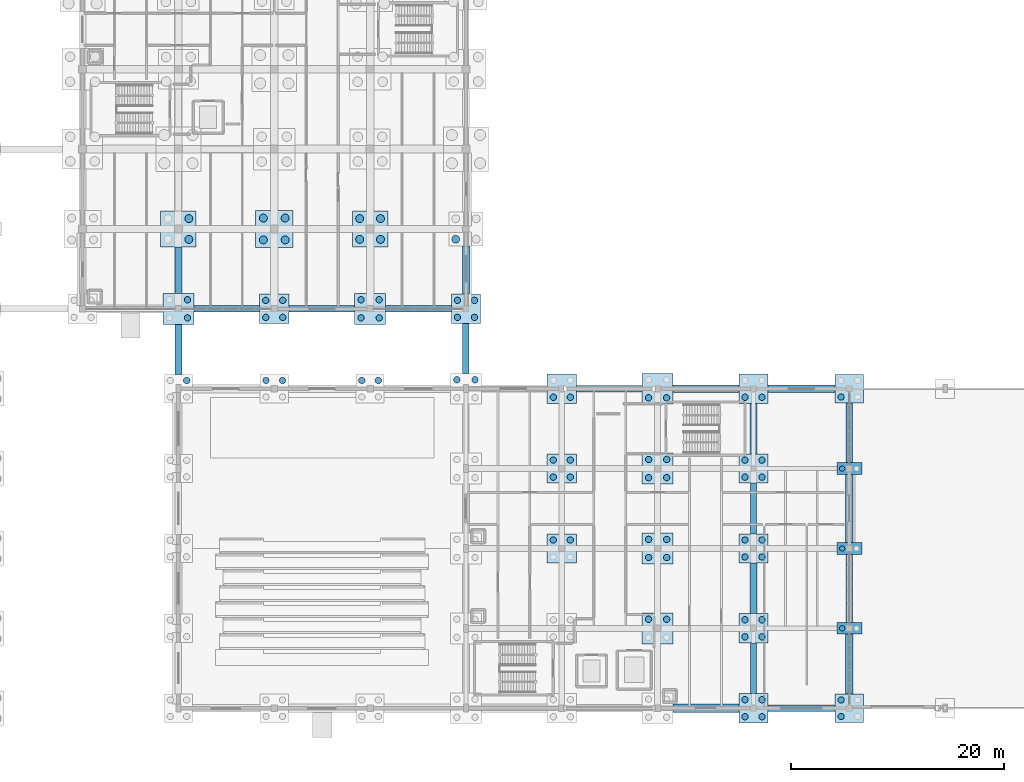
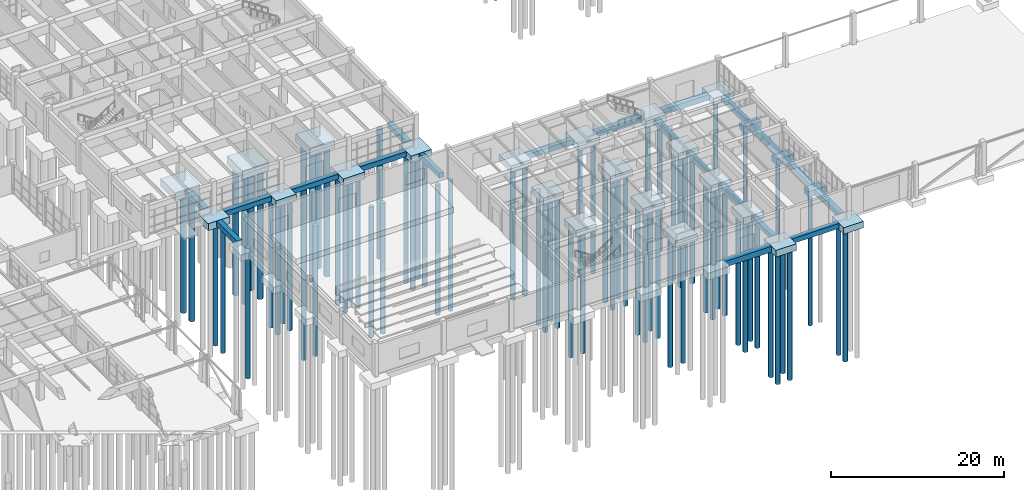
# One storey, part 4 of 93: 76 piles, 44 footings.
"""IFC4 building model written with IfcOpenShell, lengths in metres."""

from ifc_helpers import new_model, si_unit, direction, frame, origin, origin_2d, place, context, subcontext, project, spatial, rectangle, circle, extrude, material, material_profile, profile_set, type_object, element, save


model = new_model("IFC4")

# Units and contexts
model_context = context("Model", 3, precision=1e-05, world=origin(), true_north=direction((0.0, 1.0)))
body_context = subcontext(model_context, "Body", "Model", "MODEL_VIEW")
ifc_project = project(units=[si_unit("LENGTHUNIT", "METRE"), si_unit("AREAUNIT", "SQUARE_METRE"), si_unit("VOLUMEUNIT", "CUBIC_METRE"), si_unit("PLANEANGLEUNIT", "RADIAN"), si_unit("MASSUNIT", "GRAM", prefix="KILO")], contexts=[model_context])

# Site, building, storey
site_placement = place(None, origin())
site = spatial("IfcSite", under=ifc_project, at=site_placement, CompositionType="ELEMENT")
building_placement = place(site_placement, origin())
building = spatial("IfcBuilding", under=site, at=building_placement, Name="Marnridge Secondary College", CompositionType="ELEMENT")
storey_placement = place(building_placement, origin())
storey = spatial("IfcBuildingStorey", under=building, at=storey_placement, Name="L00", CompositionType="ELEMENT", Elevation=0.0)

# Footings
ifc_material_1 = material(Name="Concrete C40/50 (AS 3600 N40, 40 MPa)", Category="concrete")
footing_type_1 = type_object("IfcFootingType", Name="FT-PC-2311", PredefinedType="PILE_CAP", material=ifc_material_1)
for number, where, z_axis, x_axis, name in (
    (1, (126.0, 7.5, -1.06982421875), (0.0, 0.0, 1.0), (1.0, 0.0, 0.0), "Pile cap PC-026"),
    (2, (126.0, 15.0, -1.06982421875), (0.0, 0.0, 1.0), (1.0, 0.0, 0.0), "Pile cap PC-038"),
    (3, (126.0, 22.5, -1.06982421875), (0.0, 0.0, 1.0), (1.0, 0.0, 0.0), "Pile cap PC-050"),
):
    element("IfcFooting", number, at=place(storey_placement, frame(where, z_axis=z_axis, x_axis=x_axis)), inside=storey, type_object=footing_type_1, Name=name, PredefinedType="PILE_CAP", context=body_context, shape_type="SweptSolid", body=[
        extrude(rectangle(XDim=2.35009765625, YDim=1.10009765625, at=origin_2d()), origin(), (0.0, 0.0, 1.0), 0.820068359375),
    ])
ifc_material_2 = material(Name="Concrete C40/50 (AS 3600 N40, 40 MPa)", Category="concrete")
footing_type_2 = type_object("IfcFootingType", Name="FT-PC-2650", PredefinedType="PILE_CAP", material=ifc_material_2)
for number, where, z_axis, x_axis, name in (
    (4, (126.0, 0.0, -1.169921875), (0.0, 0.0, 1.0), (1.0, 0.0, 0.0), "Pile cap PC-014"),
    (5, (126.0, 30.0, -1.169921875), (0.0, 0.0, 1.0), (1.0, 0.0, 0.0), "Pile cap PC-064"),
):
    element("IfcFooting", number, at=place(storey_placement, frame(where, z_axis=z_axis, x_axis=x_axis)), inside=storey, type_object=footing_type_2, Name=name, PredefinedType="PILE_CAP", context=body_context, shape_type="SweptSolid", body=[
        extrude(rectangle(XDim=2.64990234375, YDim=2.64990234375, at=origin_2d()), origin(), (0.0, 0.0, 1.0), 0.919921875),
    ])
ifc_material_3 = material(Name="Concrete C40/50 (AS 3600 N40, 40 MPa)", Category="concrete")
footing_type_3 = type_object("IfcFootingType", Name="FT-PC-2750", PredefinedType="PILE_CAP", material=ifc_material_3)
for number, where, z_axis, x_axis, name in (
    (6, (117.0, 0.0, -1.2001953125), (0.0, 0.0, 1.0), (1.0, 0.0, 0.0), "Pile cap PC-013"),
    (7, (117.0, 7.5, -1.2001953125), (0.0, 0.0, 1.0), (1.0, 0.0, 0.0), "Pile cap PC-025"),
    (8, (99.0, 15.0, -1.2001953125), (0.0, 0.0, 1.0), (1.0, 0.0, 0.0), "Pile cap PC-035"),
    (9, (117.0, 15.0, -1.2001953125), (0.0, 0.0, 1.0), (1.0, 0.0, 0.0), "Pile cap PC-037"),
    (10, (99.0, 22.5, -1.2001953125), (0.0, 0.0, 1.0), (1.0, 0.0, 0.0), "Pile cap PC-047"),
    (11, (117.0, 22.5, -1.2001953125), (0.0, 0.0, 1.0), (1.0, 0.0, 0.0), "Pile cap PC-049"),
    (12, (99.0, 30.0, -1.2001953125), (0.0, 0.0, 1.0), (1.0, 0.0, 0.0), "Pile cap PC-061"),
    (13, (117.0, 30.0, -1.2001953125), (0.0, 0.0, 1.0), (1.0, 0.0, 0.0), "Pile cap PC-063"),
    (14, (72.0, 37.5, -1.2001953125), (0.0, 0.0, 1.0), (1.0, 0.0, 0.0), "Pile cap PC-073"),
    (15, (90.0, 37.5, -1.2001953125), (0.0, 0.0, 1.0), (1.0, 0.0, 0.0), "Pile cap PC-075"),
):
    element("IfcFooting", number, at=place(storey_placement, frame(where, z_axis=z_axis, x_axis=x_axis)), inside=storey, type_object=footing_type_3, Name=name, PredefinedType="PILE_CAP", context=body_context, shape_type="SweptSolid", body=[
        extrude(rectangle(XDim=2.75, YDim=2.75, at=origin_2d()), origin(), (0.0, 0.0, 1.0), 0.949951171875),
    ])
ifc_material_4 = material(Name="Concrete C40/50 (AS 3600 N40, 40 MPa)", Category="concrete")
footing_type_4 = type_object("IfcFootingType", Name="FT-PC-2900", PredefinedType="PILE_CAP", material=ifc_material_4)
for number, where, z_axis, x_axis, name in (
    (16, (108.0, 7.5, -1.22998046875), (0.0, 0.0, 1.0), (1.0, 0.0, 0.0), "Pile cap PC-024"),
    (17, (108.0, 15.0, -1.22998046875), (0.0, 0.0, 1.0), (1.0, 0.0, 0.0), "Pile cap PC-036"),
    (18, (108.0, 22.5, -1.22998046875), (0.0, 0.0, 1.0), (1.0, 0.0, 0.0), "Pile cap PC-048"),
    (19, (108.0, 30.0, -1.22998046875), (0.0, 0.0, 1.0), (1.0, 0.0, 0.0), "Pile cap PC-062"),
    (20, (63.0, 37.5, -1.22998046875), (0.0, 0.0, 1.0), (1.0, 0.0, 0.0), "Pile cap PC-072"),
    (21, (81.0, 37.5, -1.22998046875), (0.0, 0.0, 1.0), (1.0, 0.0, 0.0), "Pile cap PC-074"),
):
    element("IfcFooting", number, at=place(storey_placement, frame(where, z_axis=z_axis, x_axis=x_axis)), inside=storey, type_object=footing_type_4, Name=name, PredefinedType="PILE_CAP", context=body_context, shape_type="SweptSolid", body=[
        extrude(rectangle(XDim=2.89990234375, YDim=2.89990234375, at=origin_2d()), origin(), (0.0, 0.0, 1.0), 0.97998046875),
    ])
ifc_material_5 = material(Name="Concrete C40/50 (AS 3600 N40, 40 MPa)", Category="concrete")
footing_type_5 = type_object("IfcFootingType", Name="FT-PC-3350", PredefinedType="PILE_CAP", material=ifc_material_5)
for number, where, z_axis, x_axis, name in (
    (22, (63.0, 45.0, -1.35009765625), (0.0, 0.0, 1.0), (1.0, 0.0, 0.0), "Pile cap PC-083"),
    (23, (81.0, 45.0, -1.35009765625), (0.0, 0.0, 1.0), (1.0, 0.0, 0.0), "Pile cap PC-085"),
):
    element("IfcFooting", number, at=place(storey_placement, frame(where, z_axis=z_axis, x_axis=x_axis)), inside=storey, type_object=footing_type_5, Name=name, PredefinedType="PILE_CAP", context=body_context, shape_type="SweptSolid", body=[
        extrude(rectangle(XDim=3.35009765625, YDim=3.35009765625, at=origin_2d()), origin(), (0.0, 0.0, 1.0), 1.10009765625),
    ])
ifc_material_6 = material(Name="Concrete C40/50 (AS 3600 N40, 40 MPa)", Category="concrete")
footing_type_6 = type_object("IfcFootingType", Name="FT-PC-3500", PredefinedType="PILE_CAP", material=ifc_material_6)
footing_1_placement = place(storey_placement, frame((72.0, 45.0, -1.39990234375), z_axis=(0.0, 0.0, 1.0), x_axis=(1.0, 0.0, 0.0)))
element("IfcFooting", 24, at=footing_1_placement, inside=storey, type_object=footing_type_6, Name="Pile cap PC-084", PredefinedType="PILE_CAP", context=body_context, shape_type="SweptSolid", body=[
    extrude(rectangle(XDim=3.5, YDim=3.5, at=origin_2d()), origin(), (0.0, 0.0, 1.0), 1.14990234375),
])
ifc_material_7 = material(Name="Concrete C40/50 (AS 3600 N40, 40 MPa)", Category="concrete")
footing_type_7 = type_object("IfcFootingType", Name="FT-SF-600", PredefinedType="STRIP_FOOTING", material=ifc_material_7)
for number, where, z_axis, x_axis, name in (
    (25, (67.53759765625, 37.5, -0.9501953125), (0.0, 0.0, 1.0), (1.0, 0.0, 0.0), "Ground strip footing SF-077"),
    (26, (76.46240234375, 37.5, -0.9501953125), (0.0, 0.0, 1.0), (1.0, 0.0, 0.0), "Ground strip footing SF-089"),
    (27, (85.53759765625, 37.5, -0.9501953125), (0.0, 0.0, 1.0), (1.0, 0.0, 0.0), "Ground strip footing SF-095"),
):
    element("IfcFooting", number, at=place(storey_placement, frame(where, z_axis=z_axis, x_axis=x_axis)), inside=storey, type_object=footing_type_7, Name=name, PredefinedType="STRIP_FOOTING", context=body_context, shape_type="SweptSolid", body=[
        extrude(rectangle(XDim=6.175048828125, YDim=0.60009765625, at=origin_2d()), origin(), (0.0, 0.0, 1.0), 0.699951171875),
    ])
footing_2_placement = place(storey_placement, frame((90.0, 33.78759765625, -0.9501953125), z_axis=(0.0, 0.0, 1.0), x_axis=(1.0, 0.0, 0.0)))
element("IfcFooting", 28, at=footing_2_placement, inside=storey, type_object=footing_type_7, Name="Ground strip footing SF-105", PredefinedType="STRIP_FOOTING", context=body_context, shape_type="SweptSolid", body=[
    extrude(rectangle(XDim=0.60009765625, YDim=4.675048828125, at=origin_2d()), origin(), (0.0, 0.0, 1.0), 0.699951171875),
])
footing_3_placement = place(storey_placement, frame((103.46240234375, 30.0, -0.9501953125), z_axis=(0.0, 0.0, 1.0), x_axis=(1.0, 0.0, 0.0)))
element("IfcFooting", 29, at=footing_3_placement, inside=storey, type_object=footing_type_7, Name="Ground strip footing SF-113", PredefinedType="STRIP_FOOTING", context=body_context, shape_type="SweptSolid", body=[
    extrude(rectangle(XDim=6.175048828125, YDim=0.60009765625, at=origin_2d()), origin(), (0.0, 0.0, 1.0), 0.699951171875),
])
footing_4_placement = place(storey_placement, frame((121.52490234375, 0.0, -0.9501953125), z_axis=(0.0, 0.0, 1.0), x_axis=(1.0, 0.0, 0.0)))
element("IfcFooting", 30, at=footing_4_placement, inside=storey, type_object=footing_type_7, Name="Ground strip footing SF-116", PredefinedType="STRIP_FOOTING", context=body_context, shape_type="SweptSolid", body=[
    extrude(rectangle(XDim=6.300048828125, YDim=0.60009765625, at=origin_2d()), origin(), (0.0, 0.0, 1.0), 0.699951171875),
])
for number, where, z_axis, x_axis, name in (
    (31, (117.0, 3.75, -0.9501953125), (0.0, 0.0, 1.0), (1.0, 0.0, 0.0), "Ground strip footing SF-117"),
    (32, (117.0, 18.75, -0.9501953125), (0.0, 0.0, 1.0), (1.0, 0.0, 0.0), "Ground strip footing SF-119"),
):
    element("IfcFooting", number, at=place(storey_placement, frame(where, z_axis=z_axis, x_axis=x_axis)), inside=storey, type_object=footing_type_7, Name=name, PredefinedType="STRIP_FOOTING", context=body_context, shape_type="SweptSolid", body=[
        extrude(rectangle(XDim=0.60009765625, YDim=4.75, at=origin_2d()), origin(), (0.0, 0.0, 1.0), 0.699951171875),
    ])
footing_5_placement = place(storey_placement, frame((126.0, 11.25, -0.9501953125), z_axis=(0.0, 0.0, 1.0), x_axis=(1.0, 0.0, 0.0)))
element("IfcFooting", 33, at=footing_5_placement, inside=storey, type_object=footing_type_7, Name="Ground strip footing SF-123", PredefinedType="STRIP_FOOTING", context=body_context, shape_type="SweptSolid", body=[
    extrude(rectangle(XDim=0.60009765625, YDim=6.39990234375, at=origin_2d()), origin(), (0.0, 0.0, 1.0), 0.699951171875),
])
footing_6_placement = place(storey_placement, frame((126.0, 25.862548828125, -0.9501953125), z_axis=(0.0, 0.0, 1.0), x_axis=(1.0, 0.0, 0.0)))
element("IfcFooting", 34, at=footing_6_placement, inside=storey, type_object=footing_type_7, Name="Ground strip footing SF-125", PredefinedType="STRIP_FOOTING", context=body_context, shape_type="SweptSolid", body=[
    extrude(rectangle(XDim=0.60009765625, YDim=5.625, at=origin_2d()), origin(), (0.0, 0.0, 1.0), 0.699951171875),
])
ifc_material_8 = material(Name="Concrete C40/50 (AS 3600 N40, 40 MPa)", Category="concrete")
footing_type_8 = type_object("IfcFootingType", Name="FT-SF-680", PredefinedType="STRIP_FOOTING", material=ifc_material_8)
footing_7_placement = place(storey_placement, frame((63.0, 33.6875, -1.009765625), z_axis=(0.0, 0.0, 1.0), x_axis=(1.0, 0.0, 0.0)))
element("IfcFooting", 35, at=footing_7_placement, inside=storey, type_object=footing_type_8, Name="Ground strip footing SF-076", PredefinedType="STRIP_FOOTING", context=body_context, shape_type="SweptSolid", body=[
    extrude(rectangle(XDim=0.679931640625, YDim=4.72509765625, at=origin_2d()), origin(), (0.0, 0.0, 1.0), 0.760009765625),
])
footing_8_placement = place(storey_placement, frame((63.0, 41.137451171875, -1.009765625), z_axis=(0.0, 0.0, 1.0), x_axis=(1.0, 0.0, 0.0)))
element("IfcFooting", 36, at=footing_8_placement, inside=storey, type_object=footing_type_8, Name="Ground strip footing SF-078", PredefinedType="STRIP_FOOTING", context=body_context, shape_type="SweptSolid", body=[
    extrude(rectangle(XDim=0.679931640625, YDim=4.375, at=origin_2d()), origin(), (0.0, 0.0, 1.0), 0.760009765625),
])
footing_9_placement = place(storey_placement, frame((90.0, 41.137451171875, -1.009765625), z_axis=(0.0, 0.0, 1.0), x_axis=(1.0, 0.0, 0.0)))
element("IfcFooting", 37, at=footing_9_placement, inside=storey, type_object=footing_type_8, Name="Ground strip footing SF-106", PredefinedType="STRIP_FOOTING", context=body_context, shape_type="SweptSolid", body=[
    extrude(rectangle(XDim=0.679931640625, YDim=4.52490234375, at=origin_2d()), origin(), (0.0, 0.0, 1.0), 0.760009765625),
])
footing_10_placement = place(storey_placement, frame((112.53759765625, 30.0, -1.009765625), z_axis=(0.0, 0.0, 1.0), x_axis=(1.0, 0.0, 0.0)))
element("IfcFooting", 38, at=footing_10_placement, inside=storey, type_object=footing_type_8, Name="Ground strip footing SF-115", PredefinedType="STRIP_FOOTING", context=body_context, shape_type="SweptSolid", body=[
    extrude(rectangle(XDim=6.175048828125, YDim=0.679931640625, at=origin_2d()), origin(), (0.0, 0.0, 1.0), 0.760009765625),
])
for number, where, z_axis, x_axis, name in (
    (39, (117.0, 11.25, -1.009765625), (0.0, 0.0, 1.0), (1.0, 0.0, 0.0), "Ground strip footing SF-118"),
    (40, (117.0, 26.25, -1.009765625), (0.0, 0.0, 1.0), (1.0, 0.0, 0.0), "Ground strip footing SF-120"),
):
    element("IfcFooting", number, at=place(storey_placement, frame(where, z_axis=z_axis, x_axis=x_axis)), inside=storey, type_object=footing_type_8, Name=name, PredefinedType="STRIP_FOOTING", context=body_context, shape_type="SweptSolid", body=[
        extrude(rectangle(XDim=0.679931640625, YDim=4.75, at=origin_2d()), origin(), (0.0, 0.0, 1.0), 0.760009765625),
    ])
footing_11_placement = place(storey_placement, frame((121.52490234375, 30.0, -1.009765625), z_axis=(0.0, 0.0, 1.0), x_axis=(1.0, 0.0, 0.0)))
element("IfcFooting", 41, at=footing_11_placement, inside=storey, type_object=footing_type_8, Name="Ground strip footing SF-121", PredefinedType="STRIP_FOOTING", context=body_context, shape_type="SweptSolid", body=[
    extrude(rectangle(XDim=6.300048828125, YDim=0.679931640625, at=origin_2d()), origin(), (0.0, 0.0, 1.0), 0.760009765625),
])
footing_12_placement = place(storey_placement, frame((126.0, 4.137451171875, -1.009765625), z_axis=(0.0, 0.0, 1.0), x_axis=(1.0, 0.0, 0.0)))
element("IfcFooting", 42, at=footing_12_placement, inside=storey, type_object=footing_type_8, Name="Ground strip footing SF-122", PredefinedType="STRIP_FOOTING", context=body_context, shape_type="SweptSolid", body=[
    extrude(rectangle(XDim=0.679931640625, YDim=5.625, at=origin_2d()), origin(), (0.0, 0.0, 1.0), 0.760009765625),
])
footing_13_placement = place(storey_placement, frame((126.0, 18.75, -1.009765625), z_axis=(0.0, 0.0, 1.0), x_axis=(1.0, 0.0, 0.0)))
element("IfcFooting", 43, at=footing_13_placement, inside=storey, type_object=footing_type_8, Name="Ground strip footing SF-124", PredefinedType="STRIP_FOOTING", context=body_context, shape_type="SweptSolid", body=[
    extrude(rectangle(XDim=0.679931640625, YDim=6.39990234375, at=origin_2d()), origin(), (0.0, 0.0, 1.0), 0.760009765625),
])
ifc_material_9 = material(Name="Concrete C40/50 (AS 3600 N40, 40 MPa)", Category="concrete")
footing_type_9 = type_object("IfcFootingType", Name="FT-SF-760", PredefinedType="STRIP_FOOTING", material=ifc_material_9)
footing_14_placement = place(storey_placement, frame((112.53759765625, 0.0, -1.06982421875), z_axis=(0.0, 0.0, 1.0), x_axis=(1.0, 0.0, 0.0)))
element("IfcFooting", 44, at=footing_14_placement, inside=storey, type_object=footing_type_9, Name="Ground strip footing SF-114", PredefinedType="STRIP_FOOTING", context=body_context, shape_type="SweptSolid", body=[
    extrude(rectangle(XDim=6.175048828125, YDim=0.760009765625, at=origin_2d()), origin(), (0.0, 0.0, 1.0), 0.820068359375),
])

# Piles
ifc_material_10 = material(Name="Concrete C40/50 (AS 3600 N40, 40 MPa)", Category="concrete")
ifc_material_profile_1 = material_profile(ifc_material_10, circle(Radius=0.25, at=origin_2d()), Name="PILE D500")
ifc_profile_set_1 = profile_set([ifc_material_profile_1], Name="Concrete C40/50 (AS 3600 N40, 40 MPa)")
pile_type_1 = type_object("IfcPileType", Name="PL-D500-N40", PredefinedType="BORED", material=ifc_profile_set_1)
for number, where, z_axis, x_axis, name in (
    (45, (125.324951171875, 7.5, -0.969970703125), (0.0, 0.0, -1.0), (1.0, 0.0, 0.0), "Bored pile PL-101"),
    (46, (125.324951171875, 15.0, -0.969970703125), (0.0, 0.0, -1.0), (1.0, 0.0, 0.0), "Bored pile PL-147"),
    (47, (125.324951171875, 22.5, -0.969970703125), (0.0, 0.0, -1.0), (1.0, 0.0, 0.0), "Bored pile PL-193"),
):
    element("IfcPile", number, at=place(storey_placement, frame(where, z_axis=z_axis, x_axis=x_axis)), inside=storey, type_object=pile_type_1, Name=name, PredefinedType="BORED", context=body_context, shape_type="SweptSolid", body=[
        extrude(circle(Radius=0.25, at=origin_2d()), origin(), (0.0, 0.0, 1.0), 18.530029296875),
    ])
ifc_material_11 = material(Name="Concrete C40/50 (AS 3600 N40, 40 MPa)", Category="concrete")
ifc_material_profile_2 = material_profile(ifc_material_11, circle(Radius=0.300048828125, at=origin_2d()), Name="PILE D600")
ifc_profile_set_2 = profile_set([ifc_material_profile_2], Name="Concrete C40/50 (AS 3600 N40, 40 MPa)")
pile_type_2 = type_object("IfcPileType", Name="PL-D600-N40", PredefinedType="BORED", material=ifc_profile_set_2)
for number, where, z_axis, x_axis, name in (
    (48, (116.199951171875, -0.800048828125, -1.10009765625), (0.0, 0.0, -1.0), (1.0, 0.0, 0.0), "Bored pile PL-049"),
    (49, (117.800048828125, -0.800048828125, -1.10009765625), (0.0, 0.0, -1.0), (1.0, 0.0, 0.0), "Bored pile PL-050"),
    (50, (116.199951171875, 0.800048828125, -1.10009765625), (0.0, 0.0, -1.0), (1.0, 0.0, 0.0), "Bored pile PL-051"),
    (51, (117.800048828125, 0.800048828125, -1.10009765625), (0.0, 0.0, -1.0), (1.0, 0.0, 0.0), "Bored pile PL-052"),
):
    element("IfcPile", number, at=place(storey_placement, frame(where, z_axis=z_axis, x_axis=x_axis)), inside=storey, type_object=pile_type_2, Name=name, PredefinedType="BORED", context=body_context, shape_type="SweptSolid", body=[
        extrude(circle(Radius=0.300048828125, at=origin_2d()), origin(), (0.0, 0.0, 1.0), 18.39990234375),
    ])
for number, where, z_axis, x_axis, name in (
    (52, (125.22509765625, -0.77490234375, -1.070068359375), (0.0, 0.0, -1.0), (1.0, 0.0, 0.0), "Bored pile PL-053"),
    (53, (125.22509765625, 0.77490234375, -1.070068359375), (0.0, 0.0, -1.0), (1.0, 0.0, 0.0), "Bored pile PL-055"),
):
    element("IfcPile", number, at=place(storey_placement, frame(where, z_axis=z_axis, x_axis=x_axis)), inside=storey, type_object=pile_type_2, Name=name, PredefinedType="BORED", context=body_context, shape_type="SweptSolid", body=[
        extrude(circle(Radius=0.300048828125, at=origin_2d()), origin(), (0.0, 0.0, 1.0), 18.429931640625),
    ])
for number, where, z_axis, x_axis, name in (
    (54, (107.14990234375, 8.35009765625, -1.1298828125), (0.0, 0.0, -1.0), (1.0, 0.0, 0.0), "Bored pile PL-095"),
    (55, (108.85009765625, 8.35009765625, -1.1298828125), (0.0, 0.0, -1.0), (1.0, 0.0, 0.0), "Bored pile PL-096"),
):
    element("IfcPile", number, at=place(storey_placement, frame(where, z_axis=z_axis, x_axis=x_axis)), inside=storey, type_object=pile_type_2, Name=name, PredefinedType="BORED", context=body_context, shape_type="SweptSolid", body=[
        extrude(circle(Radius=0.300048828125, at=origin_2d()), origin(), (0.0, 0.0, 1.0), 18.3701171875),
    ])
for number, where, z_axis, x_axis, name in (
    (56, (116.199951171875, 6.699951171875, -1.10009765625), (0.0, 0.0, -1.0), (1.0, 0.0, 0.0), "Bored pile PL-097"),
    (57, (117.800048828125, 6.699951171875, -1.10009765625), (0.0, 0.0, -1.0), (1.0, 0.0, 0.0), "Bored pile PL-098"),
    (58, (116.199951171875, 8.300048828125, -1.10009765625), (0.0, 0.0, -1.0), (1.0, 0.0, 0.0), "Bored pile PL-099"),
    (59, (117.800048828125, 8.300048828125, -1.10009765625), (0.0, 0.0, -1.0), (1.0, 0.0, 0.0), "Bored pile PL-100"),
    (60, (98.199951171875, 15.800048828125, -1.10009765625), (0.0, 0.0, -1.0), (1.0, 0.0, 0.0), "Bored pile PL-137"),
    (61, (99.800048828125, 15.800048828125, -1.10009765625), (0.0, 0.0, -1.0), (1.0, 0.0, 0.0), "Bored pile PL-138"),
):
    element("IfcPile", number, at=place(storey_placement, frame(where, z_axis=z_axis, x_axis=x_axis)), inside=storey, type_object=pile_type_2, Name=name, PredefinedType="BORED", context=body_context, shape_type="SweptSolid", body=[
        extrude(circle(Radius=0.300048828125, at=origin_2d()), origin(), (0.0, 0.0, 1.0), 18.39990234375),
    ])
for number, where, z_axis, x_axis, name in (
    (62, (107.14990234375, 14.14990234375, -1.1298828125), (0.0, 0.0, -1.0), (1.0, 0.0, 0.0), "Bored pile PL-139"),
    (63, (108.85009765625, 14.14990234375, -1.1298828125), (0.0, 0.0, -1.0), (1.0, 0.0, 0.0), "Bored pile PL-140"),
    (64, (107.14990234375, 15.85009765625, -1.1298828125), (0.0, 0.0, -1.0), (1.0, 0.0, 0.0), "Bored pile PL-141"),
    (65, (108.85009765625, 15.85009765625, -1.1298828125), (0.0, 0.0, -1.0), (1.0, 0.0, 0.0), "Bored pile PL-142"),
):
    element("IfcPile", number, at=place(storey_placement, frame(where, z_axis=z_axis, x_axis=x_axis)), inside=storey, type_object=pile_type_2, Name=name, PredefinedType="BORED", context=body_context, shape_type="SweptSolid", body=[
        extrude(circle(Radius=0.300048828125, at=origin_2d()), origin(), (0.0, 0.0, 1.0), 18.3701171875),
    ])
for number, where, z_axis, x_axis, name in (
    (66, (116.199951171875, 14.199951171875, -1.10009765625), (0.0, 0.0, -1.0), (1.0, 0.0, 0.0), "Bored pile PL-143"),
    (67, (117.800048828125, 14.199951171875, -1.10009765625), (0.0, 0.0, -1.0), (1.0, 0.0, 0.0), "Bored pile PL-144"),
    (68, (116.199951171875, 15.800048828125, -1.10009765625), (0.0, 0.0, -1.0), (1.0, 0.0, 0.0), "Bored pile PL-145"),
    (69, (117.800048828125, 15.800048828125, -1.10009765625), (0.0, 0.0, -1.0), (1.0, 0.0, 0.0), "Bored pile PL-146"),
    (70, (98.199951171875, 21.699951171875, -1.10009765625), (0.0, 0.0, -1.0), (1.0, 0.0, 0.0), "Bored pile PL-181"),
    (71, (99.800048828125, 21.699951171875, -1.10009765625), (0.0, 0.0, -1.0), (1.0, 0.0, 0.0), "Bored pile PL-182"),
    (72, (98.199951171875, 23.300048828125, -1.10009765625), (0.0, 0.0, -1.0), (1.0, 0.0, 0.0), "Bored pile PL-183"),
    (73, (99.800048828125, 23.300048828125, -1.10009765625), (0.0, 0.0, -1.0), (1.0, 0.0, 0.0), "Bored pile PL-184"),
):
    element("IfcPile", number, at=place(storey_placement, frame(where, z_axis=z_axis, x_axis=x_axis)), inside=storey, type_object=pile_type_2, Name=name, PredefinedType="BORED", context=body_context, shape_type="SweptSolid", body=[
        extrude(circle(Radius=0.300048828125, at=origin_2d()), origin(), (0.0, 0.0, 1.0), 18.39990234375),
    ])
for number, where, z_axis, x_axis, name in (
    (74, (107.14990234375, 21.64990234375, -1.1298828125), (0.0, 0.0, -1.0), (1.0, 0.0, 0.0), "Bored pile PL-185"),
    (75, (108.85009765625, 21.64990234375, -1.1298828125), (0.0, 0.0, -1.0), (1.0, 0.0, 0.0), "Bored pile PL-186"),
    (76, (107.14990234375, 23.35009765625, -1.1298828125), (0.0, 0.0, -1.0), (1.0, 0.0, 0.0), "Bored pile PL-187"),
    (77, (108.85009765625, 23.35009765625, -1.1298828125), (0.0, 0.0, -1.0), (1.0, 0.0, 0.0), "Bored pile PL-188"),
):
    element("IfcPile", number, at=place(storey_placement, frame(where, z_axis=z_axis, x_axis=x_axis)), inside=storey, type_object=pile_type_2, Name=name, PredefinedType="BORED", context=body_context, shape_type="SweptSolid", body=[
        extrude(circle(Radius=0.300048828125, at=origin_2d()), origin(), (0.0, 0.0, 1.0), 18.3701171875),
    ])
for number, where, z_axis, x_axis, name in (
    (78, (116.199951171875, 21.699951171875, -1.10009765625), (0.0, 0.0, -1.0), (1.0, 0.0, 0.0), "Bored pile PL-189"),
    (79, (117.800048828125, 21.699951171875, -1.10009765625), (0.0, 0.0, -1.0), (1.0, 0.0, 0.0), "Bored pile PL-190"),
    (80, (116.199951171875, 23.300048828125, -1.10009765625), (0.0, 0.0, -1.0), (1.0, 0.0, 0.0), "Bored pile PL-191"),
    (81, (117.800048828125, 23.300048828125, -1.10009765625), (0.0, 0.0, -1.0), (1.0, 0.0, 0.0), "Bored pile PL-192"),
):
    element("IfcPile", number, at=place(storey_placement, frame(where, z_axis=z_axis, x_axis=x_axis)), inside=storey, type_object=pile_type_2, Name=name, PredefinedType="BORED", context=body_context, shape_type="SweptSolid", body=[
        extrude(circle(Radius=0.300048828125, at=origin_2d()), origin(), (0.0, 0.0, 1.0), 18.39990234375),
    ])
for number, where, z_axis, x_axis, name in (
    (82, (63.77490234375, 30.77490234375, -1.070068359375), (0.0, 0.0, -1.0), (1.0, 0.0, 0.0), "Bored pile PL-222"),
    (83, (71.22509765625, 30.77490234375, -1.070068359375), (0.0, 0.0, -1.0), (1.0, 0.0, 0.0), "Bored pile PL-225"),
    (84, (72.77490234375, 30.77490234375, -1.070068359375), (0.0, 0.0, -1.0), (1.0, 0.0, 0.0), "Bored pile PL-226"),
    (85, (80.22509765625, 30.77490234375, -1.070068359375), (0.0, 0.0, -1.0), (1.0, 0.0, 0.0), "Bored pile PL-229"),
    (86, (81.77490234375, 30.77490234375, -1.070068359375), (0.0, 0.0, -1.0), (1.0, 0.0, 0.0), "Bored pile PL-230"),
):
    element("IfcPile", number, at=place(storey_placement, frame(where, z_axis=z_axis, x_axis=x_axis)), inside=storey, type_object=pile_type_2, Name=name, PredefinedType="BORED", context=body_context, shape_type="SweptSolid", body=[
        extrude(circle(Radius=0.300048828125, at=origin_2d()), origin(), (0.0, 0.0, 1.0), 18.429931640625),
    ])
for number, where, z_axis, x_axis, name in (
    (87, (89.14990234375, 30.85009765625, -1.1298828125), (0.0, 0.0, -1.0), (1.0, 0.0, 0.0), "Bored pile PL-233"),
    (88, (90.85009765625, 30.85009765625, -1.1298828125), (0.0, 0.0, -1.0), (1.0, 0.0, 0.0), "Bored pile PL-234"),
):
    element("IfcPile", number, at=place(storey_placement, frame(where, z_axis=z_axis, x_axis=x_axis)), inside=storey, type_object=pile_type_2, Name=name, PredefinedType="BORED", context=body_context, shape_type="SweptSolid", body=[
        extrude(circle(Radius=0.300048828125, at=origin_2d()), origin(), (0.0, 0.0, 1.0), 18.3701171875),
    ])
for number, where, z_axis, x_axis, name in (
    (89, (98.199951171875, 29.199951171875, -1.10009765625), (0.0, 0.0, -1.0), (1.0, 0.0, 0.0), "Bored pile PL-235"),
    (90, (99.800048828125, 29.199951171875, -1.10009765625), (0.0, 0.0, -1.0), (1.0, 0.0, 0.0), "Bored pile PL-236"),
):
    element("IfcPile", number, at=place(storey_placement, frame(where, z_axis=z_axis, x_axis=x_axis)), inside=storey, type_object=pile_type_2, Name=name, PredefinedType="BORED", context=body_context, shape_type="SweptSolid", body=[
        extrude(circle(Radius=0.300048828125, at=origin_2d()), origin(), (0.0, 0.0, 1.0), 18.39990234375),
    ])
for number, where, z_axis, x_axis, name in (
    (91, (107.14990234375, 29.14990234375, -1.1298828125), (0.0, 0.0, -1.0), (1.0, 0.0, 0.0), "Bored pile PL-239"),
    (92, (108.85009765625, 29.14990234375, -1.1298828125), (0.0, 0.0, -1.0), (1.0, 0.0, 0.0), "Bored pile PL-240"),
):
    element("IfcPile", number, at=place(storey_placement, frame(where, z_axis=z_axis, x_axis=x_axis)), inside=storey, type_object=pile_type_2, Name=name, PredefinedType="BORED", context=body_context, shape_type="SweptSolid", body=[
        extrude(circle(Radius=0.300048828125, at=origin_2d()), origin(), (0.0, 0.0, 1.0), 18.3701171875),
    ])
for number, where, z_axis, x_axis, name in (
    (93, (116.199951171875, 29.199951171875, -1.10009765625), (0.0, 0.0, -1.0), (1.0, 0.0, 0.0), "Bored pile PL-243"),
    (94, (117.800048828125, 29.199951171875, -1.10009765625), (0.0, 0.0, -1.0), (1.0, 0.0, 0.0), "Bored pile PL-244"),
):
    element("IfcPile", number, at=place(storey_placement, frame(where, z_axis=z_axis, x_axis=x_axis)), inside=storey, type_object=pile_type_2, Name=name, PredefinedType="BORED", context=body_context, shape_type="SweptSolid", body=[
        extrude(circle(Radius=0.300048828125, at=origin_2d()), origin(), (0.0, 0.0, 1.0), 18.39990234375),
    ])
pile_1_placement = place(storey_placement, frame((125.22509765625, 29.22509765625, -1.070068359375), z_axis=(0.0, 0.0, -1.0), x_axis=(1.0, 0.0, 0.0)))
element("IfcPile", 95, at=pile_1_placement, inside=storey, type_object=pile_type_2, Name="Bored pile PL-247", PredefinedType="BORED", context=body_context, shape_type="SweptSolid", body=[
    extrude(circle(Radius=0.300048828125, at=origin_2d()), origin(), (0.0, 0.0, 1.0), 18.429931640625),
])
for number, where, z_axis, x_axis, name in (
    (96, (63.85009765625, 36.64990234375, -1.1298828125), (0.0, 0.0, -1.0), (1.0, 0.0, 0.0), "Bored pile PL-278"),
    (97, (63.85009765625, 38.35009765625, -1.1298828125), (0.0, 0.0, -1.0), (1.0, 0.0, 0.0), "Bored pile PL-280"),
):
    element("IfcPile", number, at=place(storey_placement, frame(where, z_axis=z_axis, x_axis=x_axis)), inside=storey, type_object=pile_type_2, Name=name, PredefinedType="BORED", context=body_context, shape_type="SweptSolid", body=[
        extrude(circle(Radius=0.300048828125, at=origin_2d()), origin(), (0.0, 0.0, 1.0), 18.3701171875),
    ])
for number, where, z_axis, x_axis, name in (
    (98, (71.199951171875, 36.699951171875, -1.10009765625), (0.0, 0.0, -1.0), (1.0, 0.0, 0.0), "Bored pile PL-281"),
    (99, (72.800048828125, 36.699951171875, -1.10009765625), (0.0, 0.0, -1.0), (1.0, 0.0, 0.0), "Bored pile PL-282"),
    (100, (71.199951171875, 38.300048828125, -1.10009765625), (0.0, 0.0, -1.0), (1.0, 0.0, 0.0), "Bored pile PL-283"),
    (101, (72.800048828125, 38.300048828125, -1.10009765625), (0.0, 0.0, -1.0), (1.0, 0.0, 0.0), "Bored pile PL-284"),
):
    element("IfcPile", number, at=place(storey_placement, frame(where, z_axis=z_axis, x_axis=x_axis)), inside=storey, type_object=pile_type_2, Name=name, PredefinedType="BORED", context=body_context, shape_type="SweptSolid", body=[
        extrude(circle(Radius=0.300048828125, at=origin_2d()), origin(), (0.0, 0.0, 1.0), 18.39990234375),
    ])
for number, where, z_axis, x_axis, name in (
    (102, (80.14990234375, 36.64990234375, -1.1298828125), (0.0, 0.0, -1.0), (1.0, 0.0, 0.0), "Bored pile PL-285"),
    (103, (81.85009765625, 36.64990234375, -1.1298828125), (0.0, 0.0, -1.0), (1.0, 0.0, 0.0), "Bored pile PL-286"),
    (104, (80.14990234375, 38.35009765625, -1.1298828125), (0.0, 0.0, -1.0), (1.0, 0.0, 0.0), "Bored pile PL-287"),
    (105, (81.85009765625, 38.35009765625, -1.1298828125), (0.0, 0.0, -1.0), (1.0, 0.0, 0.0), "Bored pile PL-288"),
):
    element("IfcPile", number, at=place(storey_placement, frame(where, z_axis=z_axis, x_axis=x_axis)), inside=storey, type_object=pile_type_2, Name=name, PredefinedType="BORED", context=body_context, shape_type="SweptSolid", body=[
        extrude(circle(Radius=0.300048828125, at=origin_2d()), origin(), (0.0, 0.0, 1.0), 18.3701171875),
    ])
for number, where, z_axis, x_axis, name in (
    (106, (89.199951171875, 36.699951171875, -1.10009765625), (0.0, 0.0, -1.0), (1.0, 0.0, 0.0), "Bored pile PL-289"),
    (107, (90.800048828125, 36.699951171875, -1.10009765625), (0.0, 0.0, -1.0), (1.0, 0.0, 0.0), "Bored pile PL-290"),
    (108, (89.199951171875, 38.300048828125, -1.10009765625), (0.0, 0.0, -1.0), (1.0, 0.0, 0.0), "Bored pile PL-291"),
    (109, (90.800048828125, 38.300048828125, -1.10009765625), (0.0, 0.0, -1.0), (1.0, 0.0, 0.0), "Bored pile PL-292"),
):
    element("IfcPile", number, at=place(storey_placement, frame(where, z_axis=z_axis, x_axis=x_axis)), inside=storey, type_object=pile_type_2, Name=name, PredefinedType="BORED", context=body_context, shape_type="SweptSolid", body=[
        extrude(circle(Radius=0.300048828125, at=origin_2d()), origin(), (0.0, 0.0, 1.0), 18.39990234375),
    ])
ifc_material_12 = material(Name="Concrete C40/50 (AS 3600 N40, 40 MPa)", Category="concrete")
ifc_material_profile_3 = material_profile(ifc_material_12, circle(Radius=0.375, at=origin_2d()), Name="PILE D750")
ifc_profile_set_3 = profile_set([ifc_material_profile_3], Name="Concrete C40/50 (AS 3600 N40, 40 MPa)")
pile_type_3 = type_object("IfcPileType", Name="PL-D750-N40", PredefinedType="BORED", material=ifc_profile_set_3)
for number, where, z_axis, x_axis, name in (
    (110, (63.97509765625, 44.02490234375, -1.25), (0.0, 0.0, -1.0), (1.0, 0.0, 0.0), "Bored pile PL-310"),
    (111, (63.97509765625, 45.97509765625, -1.25), (0.0, 0.0, -1.0), (1.0, 0.0, 0.0), "Bored pile PL-312"),
):
    element("IfcPile", number, at=place(storey_placement, frame(where, z_axis=z_axis, x_axis=x_axis)), inside=storey, type_object=pile_type_3, Name=name, PredefinedType="BORED", context=body_context, shape_type="SweptSolid", body=[
        extrude(circle(Radius=0.375, at=origin_2d()), origin(), (0.0, 0.0, 1.0), 18.25),
    ])
for number, where, z_axis, x_axis, name in (
    (112, (70.97509765625, 43.97509765625, -1.300048828125), (0.0, 0.0, -1.0), (1.0, 0.0, 0.0), "Bored pile PL-313"),
    (113, (73.02490234375, 43.97509765625, -1.300048828125), (0.0, 0.0, -1.0), (1.0, 0.0, 0.0), "Bored pile PL-314"),
    (114, (70.97509765625, 46.02490234375, -1.300048828125), (0.0, 0.0, -1.0), (1.0, 0.0, 0.0), "Bored pile PL-315"),
    (115, (73.02490234375, 46.02490234375, -1.300048828125), (0.0, 0.0, -1.0), (1.0, 0.0, 0.0), "Bored pile PL-316"),
):
    element("IfcPile", number, at=place(storey_placement, frame(where, z_axis=z_axis, x_axis=x_axis)), inside=storey, type_object=pile_type_3, Name=name, PredefinedType="BORED", context=body_context, shape_type="SweptSolid", body=[
        extrude(circle(Radius=0.375, at=origin_2d()), origin(), (0.0, 0.0, 1.0), 18.199951171875),
    ])
for number, where, z_axis, x_axis, name in (
    (116, (80.02490234375, 44.02490234375, -1.25), (0.0, 0.0, -1.0), (1.0, 0.0, 0.0), "Bored pile PL-317"),
    (117, (81.97509765625, 44.02490234375, -1.25), (0.0, 0.0, -1.0), (1.0, 0.0, 0.0), "Bored pile PL-318"),
    (118, (80.02490234375, 45.97509765625, -1.25), (0.0, 0.0, -1.0), (1.0, 0.0, 0.0), "Bored pile PL-319"),
    (119, (81.97509765625, 45.97509765625, -1.25), (0.0, 0.0, -1.0), (1.0, 0.0, 0.0), "Bored pile PL-320"),
):
    element("IfcPile", number, at=place(storey_placement, frame(where, z_axis=z_axis, x_axis=x_axis)), inside=storey, type_object=pile_type_3, Name=name, PredefinedType="BORED", context=body_context, shape_type="SweptSolid", body=[
        extrude(circle(Radius=0.375, at=origin_2d()), origin(), (0.0, 0.0, 1.0), 18.25),
    ])
pile_2_placement = place(storey_placement, frame((89.0400390625, 44.0400390625, -1.199951171875), z_axis=(0.0, 0.0, -1.0), x_axis=(1.0, 0.0, 0.0)))
element("IfcPile", 120, at=pile_2_placement, inside=storey, type_object=pile_type_3, Name="Bored pile PL-321", PredefinedType="BORED", context=body_context, shape_type="SweptSolid", body=[
    extrude(circle(Radius=0.375, at=origin_2d()), origin(), (0.0, 0.0, 1.0), 18.300048828125),
])

save(model, "model.ifc")
